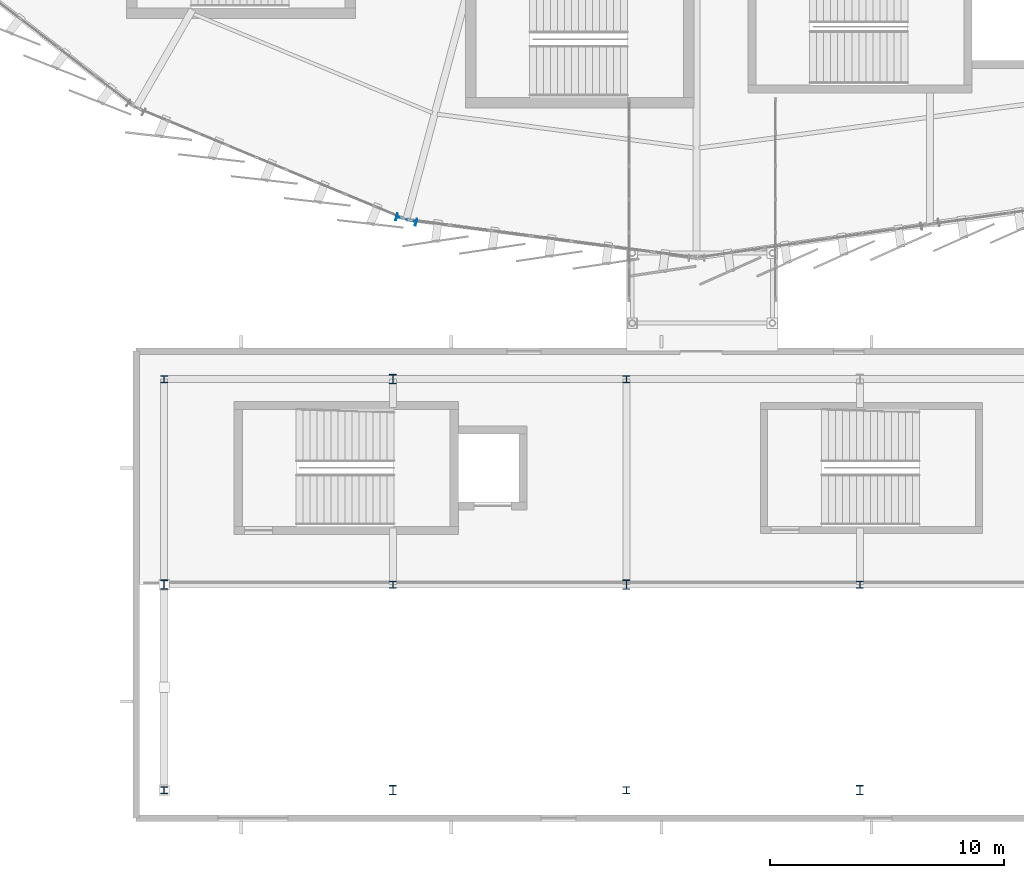
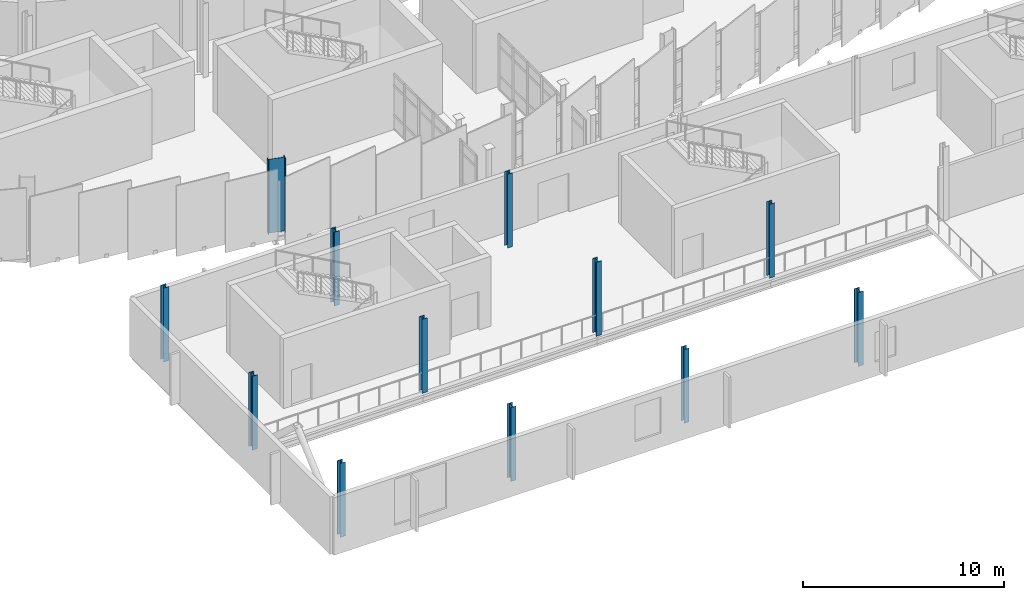
# One storey, part 4 of 134: 12 columns.
"""IFC4 building model written with IfcOpenShell, lengths in metres."""

import ifcopenshell
import ifcopenshell.guid

model = None  # the IFC model being written
_history = None  # IfcOwnerHistory: only IFC2X3 demands one
_inside = {}  # id of a spatial element -> (the spatial element, [elements in it])
_under = {}  # id of a project, library or spatial element -> (it, [spatial elements below it])
_declared = {}  # id of a project -> (the project, [libraries it declares])
_typed = {}  # id of a type object -> (the type object, [elements of that type])
_made_of = {}  # id of a material, layer set ... -> (it, [elements and type objects made of it])


def new_model(schema):
    """Start an empty IFC model of exactly this schema.

    Asked for "IFC4X3", IfcOpenShell would pick the latest addendum, in which some entities
    have other attributes; the version numbers below select the first issue.
    IFC2X3 requires an IfcOwnerHistory on every rooted entity: one is made here for all.
    """
    global model, _history
    if schema == "IFC4X3":
        model = ifcopenshell.file(schema_version=(4, 3, 0, 0))
    else:
        model = ifcopenshell.file(schema=schema)
    _inside.clear()
    _under.clear()
    _declared.clear()
    _typed.clear()
    _made_of.clear()
    _history = None
    if model.schema == "IFC2X3":
        org = make("IfcOrganization", Name="unknown")
        user = make(
            "IfcPersonAndOrganization",
            ThePerson=make("IfcPerson", FamilyName="unknown"),
            TheOrganization=org,
        )
        app = make(
            "IfcApplication",
            ApplicationDeveloper=org,
            Version="unknown",
            ApplicationFullName="unknown",
            ApplicationIdentifier="unknown",
        )
        _history = make(
            "IfcOwnerHistory",
            OwningUser=user,
            OwningApplication=app,
            ChangeAction="ADDED",
            CreationDate=0,
        )
    return model


def make(cls, **values):
    """One entity of the class cls with the attributes given. An attribute that is None is left unset."""
    return model.create_entity(
        cls, **{name: value for name, value in values.items() if value is not None}
    )


def rooted(cls, **values):
    """An entity with a GlobalId (a new one), such as an element, a storey or a relation."""
    return make(cls, GlobalId=ifcopenshell.guid.new(), OwnerHistory=_history, **values)


def si_unit(unit_type, name, prefix=None):
    """IfcSIUnit, for example si_unit("LENGTHUNIT", "METRE", prefix="MILLI")."""
    return make("IfcSIUnit", UnitType=unit_type, Prefix=prefix, Name=name)


def assignment(units):
    """IfcUnitAssignment: the units of a project."""
    return None if units is None else make("IfcUnitAssignment", Units=units)


def point(xyz):
    """IfcCartesianPoint."""
    return None if xyz is None else make("IfcCartesianPoint", Coordinates=xyz)


def direction(xyz):
    """IfcDirection."""
    return None if xyz is None else make("IfcDirection", DirectionRatios=xyz)


def frame(location, z_axis=None, x_axis=None):
    """IfcAxis2Placement3D, a coordinate frame: its origin and axes. An axis left out is left unset."""
    return make(
        "IfcAxis2Placement3D",
        Location=point(location),
        Axis=direction(z_axis),
        RefDirection=direction(x_axis),
    )


def frame_2d(location, x_axis=None):
    """IfcAxis2Placement2D, a coordinate frame in the plane: its origin and x axis."""
    return make(
        "IfcAxis2Placement2D", Location=point(location), RefDirection=direction(x_axis)
    )


def origin():
    """The frame at (0, 0, 0) with its axes left unset."""
    return frame((0.0, 0.0, 0.0))


def origin_2d():
    """The frame at (0, 0) in the plane with its x axis left unset."""
    return frame_2d((0.0, 0.0))


def place(relative_to, where):
    """IfcLocalPlacement: puts the frame where relative to a parent placement (None: the world)."""
    return make(
        "IfcLocalPlacement", PlacementRelTo=relative_to, RelativePlacement=where
    )


def context(
    kind, dimensions, precision=None, world=None, true_north=None, identifier=None
):
    """IfcGeometricRepresentationContext, for example the 3D "Model" context."""
    return make(
        "IfcGeometricRepresentationContext",
        ContextIdentifier=identifier,
        ContextType=kind,
        CoordinateSpaceDimension=dimensions,
        Precision=precision,
        WorldCoordinateSystem=world,
        TrueNorth=true_north,
    )


def subcontext(parent, identifier, kind, view, scale=None):
    """IfcGeometricRepresentationSubContext, for example "Body" below "Model"."""
    return make(
        "IfcGeometricRepresentationSubContext",
        ContextIdentifier=identifier,
        ContextType=kind,
        ParentContext=parent,
        TargetScale=scale,
        TargetView=view,
    )


def project(units=None, contexts=None):
    """IfcProject with its units and contexts."""
    return rooted(
        "IfcProject",
        Name="project",
        RepresentationContexts=contexts,
        UnitsInContext=assignment(units),
    )


def spatial(cls, under=None, at=None, **own):
    """A site, building, storey or space (cls), placed at a placement, below another one or the project."""
    s = rooted(cls, ObjectPlacement=at, **own)
    if under is not None:
        _under.setdefault(under.id(), (under, []))[1].append(s)
    return s


def profile(cls, at=None, kind="AREA", **sizes):
    """A parametric profile (cls). Its sizes go by their IFC names, for example OverallWidth=200.0."""
    return make(cls, ProfileType=kind, Position=at, **sizes)


def i_section(**sizes):
    """IfcIShapeProfileDef."""
    return profile("IfcIShapeProfileDef", **sizes)


def extrude(swept, where, along, depth):
    """IfcExtrudedAreaSolid: the profile swept, set in the frame where, extruded along a direction by depth."""
    return make(
        "IfcExtrudedAreaSolid",
        SweptArea=swept,
        Position=where,
        ExtrudedDirection=direction(along),
        Depth=depth,
    )


def shape(context_of_items, identifier, shape_type, items):
    """IfcShapeRepresentation: the items that make up one representation, for example the "Body"."""
    return make(
        "IfcShapeRepresentation",
        ContextOfItems=context_of_items,
        RepresentationIdentifier=identifier,
        RepresentationType=shape_type,
        Items=items,
    )


def material(Name=None, Category=None):
    """IfcMaterial."""
    return make("IfcMaterial", Name=Name, Category=Category)


def material_profile(
    of_material, cross_section, Name=None, Category=None, Priority=None
):
    """IfcMaterialProfile: a cross section and its material."""
    return make(
        "IfcMaterialProfile",
        Name=Name,
        Material=of_material,
        Profile=cross_section,
        Priority=Priority,
        Category=Category,
    )


def profile_set(profiles, Name=None, composite=None):
    """IfcMaterialProfileSet."""
    return make(
        "IfcMaterialProfileSet",
        Name=Name,
        MaterialProfiles=profiles,
        CompositeProfile=composite,
    )


def made_of(thing, what):
    """Note that an element or type object is made of a material, layer set ...; save() writes the relation."""
    if what is not None:
        _made_of.setdefault(what.id(), (what, []))[1].append(thing)
    return thing


def type_object(cls, material=None, **own):
    """A type object (cls), such as IfcWallType, which elements share."""
    return made_of(rooted(cls, **own), material)


def element(
    cls,
    number,
    at=None,
    inside=None,
    cuts=None,
    type_object=None,
    material=None,
    context=None,
    identifier="Body",
    shape_type=None,
    held_by="IfcProductDefinitionShape",
    body=None,
    shapes=None,
    **own,
):
    """One element of the class cls, such as IfcWall. Its Tag is "e" and its number.

    at: its placement. inside: the storey or other place that contains it. cuts: it is an
    opening in that element (IfcRelVoidsElement). A single representation is given by context,
    identifier, shape_type and body (its items); several are given by shapes. held_by: the class
    of the entity that holds the representations. save() writes the other relations.
    """
    e = rooted(cls, Tag="e%d" % number, ObjectPlacement=at, **own)
    if body is not None:
        shapes = [shape(context, identifier, shape_type, body)]
    if shapes is not None:
        e.Representation = make(held_by, Representations=shapes)
    if inside is not None:
        _inside.setdefault(inside.id(), (inside, []))[1].append(e)
    if cuts is not None:
        rooted(
            "IfcRelVoidsElement", RelatingBuildingElement=cuts, RelatedOpeningElement=e
        )
    if type_object is not None:
        _typed.setdefault(type_object.id(), (type_object, []))[1].append(e)
    return made_of(e, material)


def aggregate(whole, parts):
    """IfcRelAggregates: a whole, such as a stair, and the parts it consists of."""
    return rooted("IfcRelAggregates", RelatingObject=whole, RelatedObjects=parts)


def save(model, path):
    """Write the relations noted so far, then the file.

    IfcRelAggregates (storeys below a building ...), IfcRelContainedInSpatialStructure (elements
    in a storey), IfcRelDefinesByType, IfcRelAssociatesMaterial and IfcRelDeclares: one each for
    every whole, place, type object, material and project.
    """
    for whole, parts in _under.values():
        aggregate(whole, parts)
    for where, things in _inside.values():
        rooted(
            "IfcRelContainedInSpatialStructure",
            RelatedElements=things,
            RelatingStructure=where,
        )
    for kind, things in _typed.values():
        rooted("IfcRelDefinesByType", RelatedObjects=things, RelatingType=kind)
    for what, things in _made_of.values():
        rooted("IfcRelAssociatesMaterial", RelatedObjects=things, RelatingMaterial=what)
    for by, libraries in _declared.values():
        rooted("IfcRelDeclares", RelatingContext=by, RelatedDefinitions=libraries)
    model.write(path)


model = new_model("IFC4")

# Units and contexts
model_context = context("Model", 3, precision=1e-05, world=origin(), true_north=direction((0.0, 1.0)))
body_context = subcontext(model_context, "Body", "Model", "MODEL_VIEW")
ifc_project = project(units=[si_unit("LENGTHUNIT", "METRE"), si_unit("AREAUNIT", "SQUARE_METRE"), si_unit("VOLUMEUNIT", "CUBIC_METRE"), si_unit("PLANEANGLEUNIT", "RADIAN"), si_unit("MASSUNIT", "GRAM", prefix="KILO")], contexts=[model_context])

# Site, building, storey
site_placement = place(None, origin())
site = spatial("IfcSite", under=ifc_project, at=site_placement, CompositionType="ELEMENT")
building_placement = place(site_placement, origin())
building = spatial("IfcBuilding", under=site, at=building_placement, Name="Sohan Crest Arena", CompositionType="ELEMENT")
storey_placement = place(building_placement, frame((0.0, 0.0, 4.5)))
storey = spatial("IfcBuildingStorey", under=building, at=storey_placement, Name="L01", CompositionType="ELEMENT", Elevation=4.5)

# Columns
ifc_material = material(Name="Steel S355", Category="steel")
ifc_material_profile_1 = material_profile(ifc_material, i_section(OverallWidth=0.300048828125, OverallDepth=0.300048828125, WebThickness=0.010986328125, FlangeThickness=0.01904296875, at=origin_2d()), Name="HEB 300")
ifc_profile_set_1 = profile_set([ifc_material_profile_1], Name="Steel S355")
column_type_1 = type_object("IfcColumnType", Name="STR-COL-C17", PredefinedType="COLUMN", material=ifc_profile_set_1)
for number, where, z_axis, x_axis, name in (
    (1, (75.199951171875, 7.199951171875, 0.0), (0.0, 0.0, 1.0), (1.0, 0.0, 0.0), "Structural column COL-V5C-01-1-L01"),
    (2, (75.199951171875, 24.800048828125, 0.0), (0.0, 0.0, 1.0), (1.0, 0.0, 0.0), "Structural column COL-V5C-01-3-L01"),
    (3, (85.0, 16.0, 0.0), (0.0, 0.0, 1.0), (1.0, 0.0, 0.0), "Structural column COL-V5C-02-2-L01"),
    (4, (95.0, 7.199951171875, 0.0), (0.0, 0.0, 1.0), (1.0, 0.0, 0.0), "Structural column COL-V5C-03-1-L01"),
    (5, (95.0, 24.800048828125, 0.0), (0.0, 0.0, 1.0), (1.0, 0.0, 0.0), "Structural column COL-V5C-03-3-L01"),
    (6, (105.0, 16.0, 0.0), (0.0, 0.0, 1.0), (1.0, 0.0, 0.0), "Structural column COL-V5C-04-2-L01"),
):
    element("IfcColumn", number, at=place(storey_placement, frame(where, z_axis=z_axis, x_axis=x_axis)), inside=storey, type_object=column_type_1, Name=name, PredefinedType="COLUMN", context=body_context, shape_type="SweptSolid", body=[
        extrude(i_section(OverallWidth=0.300048828125, OverallDepth=0.300048828125, WebThickness=0.010986328125, FlangeThickness=0.01904296875, at=origin_2d()), origin(), (0.0, 0.0, 1.0), 4.5),
    ])
ifc_material_profile_2 = material_profile(ifc_material, i_section(OverallWidth=0.300048828125, OverallDepth=0.39990234375, WebThickness=0.013427734375, FlangeThickness=0.02392578125, at=origin_2d()), Name="HEB 400")
ifc_profile_set_2 = profile_set([ifc_material_profile_2], Name="Steel S355")
column_type_2 = type_object("IfcColumnType", Name="STR-COL-C18", PredefinedType="COLUMN", material=ifc_profile_set_2)
for number, where, z_axis, x_axis, name in (
    (7, (75.199951171875, 16.0, 0.0), (0.0, 0.0, 1.0), (1.0, 0.0, 0.0), "Structural column COL-V5C-01-2-L01"),
    (8, (85.0, 7.199951171875, 0.0), (0.0, 0.0, 1.0), (1.0, 0.0, 0.0), "Structural column COL-V5C-02-1-L01"),
    (9, (85.0, 24.800048828125, 0.0), (0.0, 0.0, 1.0), (1.0, 0.0, 0.0), "Structural column COL-V5C-02-3-L01"),
    (10, (95.0, 16.0, 0.0), (0.0, 0.0, 1.0), (1.0, 0.0, 0.0), "Structural column COL-V5C-03-2-L01"),
    (11, (105.0, 7.199951171875, 0.0), (0.0, 0.0, 1.0), (1.0, 0.0, 0.0), "Structural column COL-V5C-04-1-L01"),
):
    element("IfcColumn", number, at=place(storey_placement, frame(where, z_axis=z_axis, x_axis=x_axis)), inside=storey, type_object=column_type_2, Name=name, PredefinedType="COLUMN", context=body_context, shape_type="SweptSolid", body=[
        extrude(i_section(OverallWidth=0.300048828125, OverallDepth=0.39990234375, WebThickness=0.013427734375, FlangeThickness=0.02392578125, at=origin_2d()), origin(), (0.0, 0.0, 1.0), 4.5),
    ])
ifc_material_profile_3 = material_profile(ifc_material, i_section(OverallWidth=0.300048828125, OverallDepth=0.89990234375, WebThickness=0.0185546875, FlangeThickness=0.034912109375, at=origin_2d()), Name="HEB 900")
ifc_profile_set_3 = profile_set([ifc_material_profile_3], Name="Steel S355")
column_type_3 = type_object("IfcColumnType", Name="STR-COL-C23", PredefinedType="COLUMN", material=ifc_profile_set_3)
column_placement = place(storey_placement, frame((85.576904296875, 31.635986328125, 0.0), z_axis=(0.0, 0.0, 1.0), x_axis=(0.258819045103, 0.965925826289, 0.0)))
element("IfcColumn", 12, at=column_placement, inside=storey, type_object=column_type_3, Name="Structural column COL-V2O-12-L01", PredefinedType="COLUMN", context=body_context, shape_type="SweptSolid", body=[
    extrude(i_section(OverallWidth=0.300048828125, OverallDepth=0.89990234375, WebThickness=0.0185546875, FlangeThickness=0.034912109375, at=origin_2d()), origin(), (0.0, 0.0, 1.0), 4.5),
])

save(model, "model.ifc")
